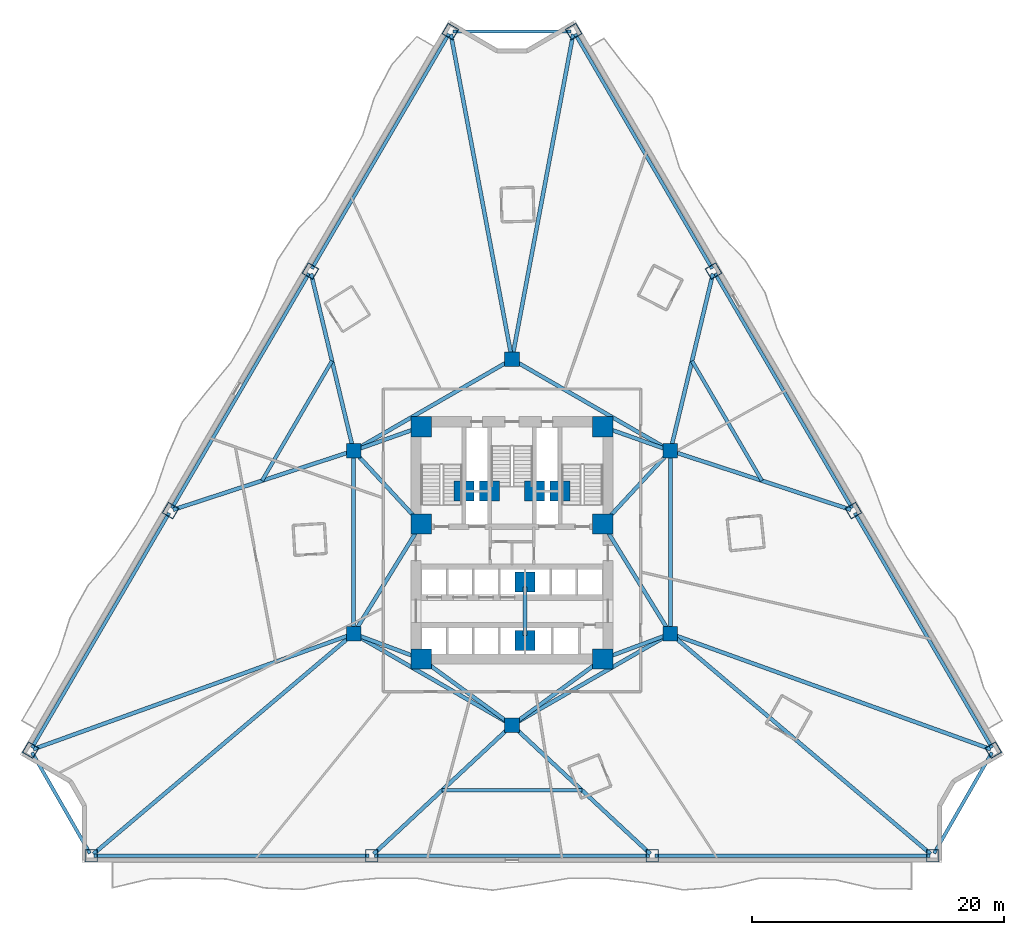
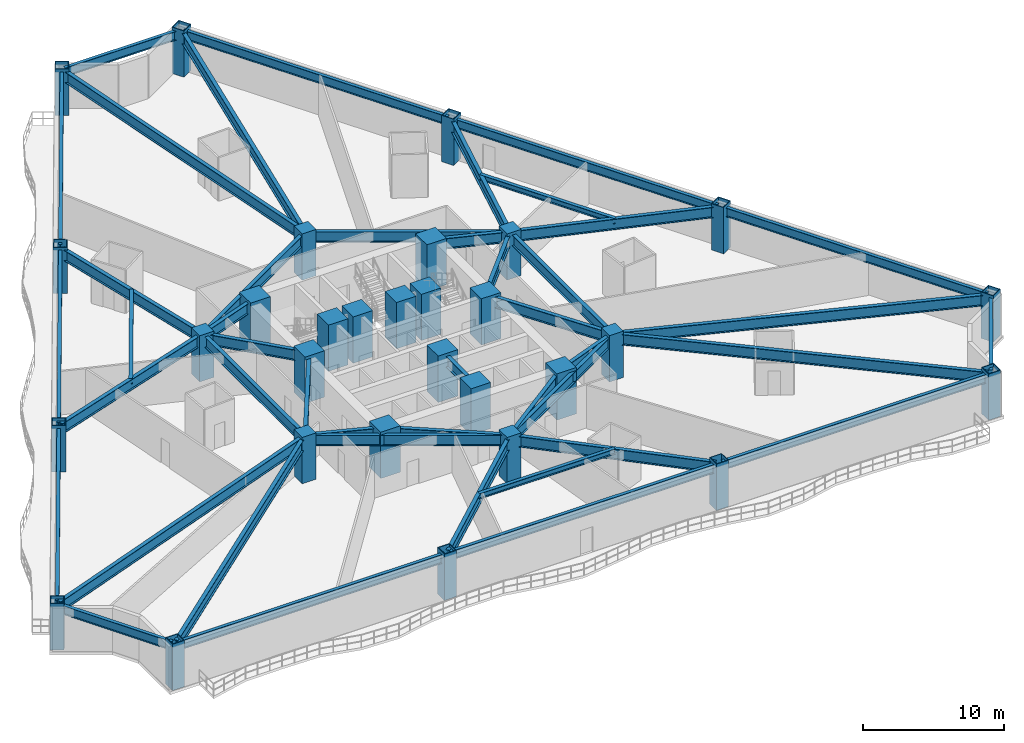
# One storey, part 1 of 12: 44 beams, 30 columns.
"""IFC4 building model written with IfcOpenShell, lengths in metres."""

import ifcopenshell
import ifcopenshell.guid

model = None  # the IFC model being written
_history = None  # IfcOwnerHistory: only IFC2X3 demands one
_inside = {}  # id of a spatial element -> (the spatial element, [elements in it])
_under = {}  # id of a project, library or spatial element -> (it, [spatial elements below it])
_declared = {}  # id of a project -> (the project, [libraries it declares])
_typed = {}  # id of a type object -> (the type object, [elements of that type])
_made_of = {}  # id of a material, layer set ... -> (it, [elements and type objects made of it])


def new_model(schema):
    """Start an empty IFC model of exactly this schema.

    Asked for "IFC4X3", IfcOpenShell would pick the latest addendum, in which some entities
    have other attributes; the version numbers below select the first issue.
    IFC2X3 requires an IfcOwnerHistory on every rooted entity: one is made here for all.
    """
    global model, _history
    if schema == "IFC4X3":
        model = ifcopenshell.file(schema_version=(4, 3, 0, 0))
    else:
        model = ifcopenshell.file(schema=schema)
    _inside.clear()
    _under.clear()
    _declared.clear()
    _typed.clear()
    _made_of.clear()
    _history = None
    if model.schema == "IFC2X3":
        org = make("IfcOrganization", Name="unknown")
        user = make(
            "IfcPersonAndOrganization",
            ThePerson=make("IfcPerson", FamilyName="unknown"),
            TheOrganization=org,
        )
        app = make(
            "IfcApplication",
            ApplicationDeveloper=org,
            Version="unknown",
            ApplicationFullName="unknown",
            ApplicationIdentifier="unknown",
        )
        _history = make(
            "IfcOwnerHistory",
            OwningUser=user,
            OwningApplication=app,
            ChangeAction="ADDED",
            CreationDate=0,
        )
    return model


def make(cls, **values):
    """One entity of the class cls with the attributes given. An attribute that is None is left unset."""
    return model.create_entity(
        cls, **{name: value for name, value in values.items() if value is not None}
    )


def rooted(cls, **values):
    """An entity with a GlobalId (a new one), such as an element, a storey or a relation."""
    return make(cls, GlobalId=ifcopenshell.guid.new(), OwnerHistory=_history, **values)


def si_unit(unit_type, name, prefix=None):
    """IfcSIUnit, for example si_unit("LENGTHUNIT", "METRE", prefix="MILLI")."""
    return make("IfcSIUnit", UnitType=unit_type, Prefix=prefix, Name=name)


def assignment(units):
    """IfcUnitAssignment: the units of a project."""
    return None if units is None else make("IfcUnitAssignment", Units=units)


def point(xyz):
    """IfcCartesianPoint."""
    return None if xyz is None else make("IfcCartesianPoint", Coordinates=xyz)


def direction(xyz):
    """IfcDirection."""
    return None if xyz is None else make("IfcDirection", DirectionRatios=xyz)


def frame(location, z_axis=None, x_axis=None):
    """IfcAxis2Placement3D, a coordinate frame: its origin and axes. An axis left out is left unset."""
    return make(
        "IfcAxis2Placement3D",
        Location=point(location),
        Axis=direction(z_axis),
        RefDirection=direction(x_axis),
    )


def frame_2d(location, x_axis=None):
    """IfcAxis2Placement2D, a coordinate frame in the plane: its origin and x axis."""
    return make(
        "IfcAxis2Placement2D", Location=point(location), RefDirection=direction(x_axis)
    )


def origin():
    """The frame at (0, 0, 0) with its axes left unset."""
    return frame((0.0, 0.0, 0.0))


def origin_2d():
    """The frame at (0, 0) in the plane with its x axis left unset."""
    return frame_2d((0.0, 0.0))


def place(relative_to, where):
    """IfcLocalPlacement: puts the frame where relative to a parent placement (None: the world)."""
    return make(
        "IfcLocalPlacement", PlacementRelTo=relative_to, RelativePlacement=where
    )


def context(
    kind, dimensions, precision=None, world=None, true_north=None, identifier=None
):
    """IfcGeometricRepresentationContext, for example the 3D "Model" context."""
    return make(
        "IfcGeometricRepresentationContext",
        ContextIdentifier=identifier,
        ContextType=kind,
        CoordinateSpaceDimension=dimensions,
        Precision=precision,
        WorldCoordinateSystem=world,
        TrueNorth=true_north,
    )


def subcontext(parent, identifier, kind, view, scale=None):
    """IfcGeometricRepresentationSubContext, for example "Body" below "Model"."""
    return make(
        "IfcGeometricRepresentationSubContext",
        ContextIdentifier=identifier,
        ContextType=kind,
        ParentContext=parent,
        TargetScale=scale,
        TargetView=view,
    )


def project(units=None, contexts=None):
    """IfcProject with its units and contexts."""
    return rooted(
        "IfcProject",
        Name="project",
        RepresentationContexts=contexts,
        UnitsInContext=assignment(units),
    )


def spatial(cls, under=None, at=None, **own):
    """A site, building, storey or space (cls), placed at a placement, below another one or the project."""
    s = rooted(cls, ObjectPlacement=at, **own)
    if under is not None:
        _under.setdefault(under.id(), (under, []))[1].append(s)
    return s


def profile(cls, at=None, kind="AREA", **sizes):
    """A parametric profile (cls). Its sizes go by their IFC names, for example OverallWidth=200.0."""
    return make(cls, ProfileType=kind, Position=at, **sizes)


def rectangle(**sizes):
    """IfcRectangleProfileDef."""
    return profile("IfcRectangleProfileDef", **sizes)


def hollow_rectangle(**sizes):
    """IfcRectangleHollowProfileDef."""
    return profile("IfcRectangleHollowProfileDef", **sizes)


def i_section(**sizes):
    """IfcIShapeProfileDef."""
    return profile("IfcIShapeProfileDef", **sizes)


def extrude(swept, where, along, depth):
    """IfcExtrudedAreaSolid: the profile swept, set in the frame where, extruded along a direction by depth."""
    return make(
        "IfcExtrudedAreaSolid",
        SweptArea=swept,
        Position=where,
        ExtrudedDirection=direction(along),
        Depth=depth,
    )


def shape(context_of_items, identifier, shape_type, items):
    """IfcShapeRepresentation: the items that make up one representation, for example the "Body"."""
    return make(
        "IfcShapeRepresentation",
        ContextOfItems=context_of_items,
        RepresentationIdentifier=identifier,
        RepresentationType=shape_type,
        Items=items,
    )


def material(Name=None, Category=None):
    """IfcMaterial."""
    return make("IfcMaterial", Name=Name, Category=Category)


def material_profile(
    of_material, cross_section, Name=None, Category=None, Priority=None
):
    """IfcMaterialProfile: a cross section and its material."""
    return make(
        "IfcMaterialProfile",
        Name=Name,
        Material=of_material,
        Profile=cross_section,
        Priority=Priority,
        Category=Category,
    )


def profile_set(profiles, Name=None, composite=None):
    """IfcMaterialProfileSet."""
    return make(
        "IfcMaterialProfileSet",
        Name=Name,
        MaterialProfiles=profiles,
        CompositeProfile=composite,
    )


def made_of(thing, what):
    """Note that an element or type object is made of a material, layer set ...; save() writes the relation."""
    if what is not None:
        _made_of.setdefault(what.id(), (what, []))[1].append(thing)
    return thing


def type_object(cls, material=None, **own):
    """A type object (cls), such as IfcWallType, which elements share."""
    return made_of(rooted(cls, **own), material)


def element(
    cls,
    number,
    at=None,
    inside=None,
    cuts=None,
    type_object=None,
    material=None,
    context=None,
    identifier="Body",
    shape_type=None,
    held_by="IfcProductDefinitionShape",
    body=None,
    shapes=None,
    **own,
):
    """One element of the class cls, such as IfcWall. Its Tag is "e" and its number.

    at: its placement. inside: the storey or other place that contains it. cuts: it is an
    opening in that element (IfcRelVoidsElement). A single representation is given by context,
    identifier, shape_type and body (its items); several are given by shapes. held_by: the class
    of the entity that holds the representations. save() writes the other relations.
    """
    e = rooted(cls, Tag="e%d" % number, ObjectPlacement=at, **own)
    if body is not None:
        shapes = [shape(context, identifier, shape_type, body)]
    if shapes is not None:
        e.Representation = make(held_by, Representations=shapes)
    if inside is not None:
        _inside.setdefault(inside.id(), (inside, []))[1].append(e)
    if cuts is not None:
        rooted(
            "IfcRelVoidsElement", RelatingBuildingElement=cuts, RelatedOpeningElement=e
        )
    if type_object is not None:
        _typed.setdefault(type_object.id(), (type_object, []))[1].append(e)
    return made_of(e, material)


def aggregate(whole, parts):
    """IfcRelAggregates: a whole, such as a stair, and the parts it consists of."""
    return rooted("IfcRelAggregates", RelatingObject=whole, RelatedObjects=parts)


def save(model, path):
    """Write the relations noted so far, then the file.

    IfcRelAggregates (storeys below a building ...), IfcRelContainedInSpatialStructure (elements
    in a storey), IfcRelDefinesByType, IfcRelAssociatesMaterial and IfcRelDeclares: one each for
    every whole, place, type object, material and project.
    """
    for whole, parts in _under.values():
        aggregate(whole, parts)
    for where, things in _inside.values():
        rooted(
            "IfcRelContainedInSpatialStructure",
            RelatedElements=things,
            RelatingStructure=where,
        )
    for kind, things in _typed.values():
        rooted("IfcRelDefinesByType", RelatedObjects=things, RelatingType=kind)
    for what, things in _made_of.values():
        rooted("IfcRelAssociatesMaterial", RelatedObjects=things, RelatingMaterial=what)
    for by, libraries in _declared.values():
        rooted("IfcRelDeclares", RelatingContext=by, RelatedDefinitions=libraries)
    model.write(path)


model = new_model("IFC4")

# Units and contexts
model_context = context("Model", 3, precision=1e-05, world=origin(), true_north=direction((0.0, 1.0)))
body_context = subcontext(model_context, "Body", "Model", "MODEL_VIEW")
ifc_project = project(units=[si_unit("LENGTHUNIT", "METRE"), si_unit("AREAUNIT", "SQUARE_METRE"), si_unit("VOLUMEUNIT", "CUBIC_METRE"), si_unit("PLANEANGLEUNIT", "RADIAN"), si_unit("MASSUNIT", "GRAM", prefix="KILO")], contexts=[model_context])

# Site, building, storey
site_placement = place(None, origin())
site = spatial("IfcSite", under=ifc_project, at=site_placement, CompositionType="ELEMENT")
building_placement = place(site_placement, origin())
building = spatial("IfcBuilding", under=site, at=building_placement, Name="Apsidion Concourse Tower", CompositionType="ELEMENT")
storey_placement = place(building_placement, frame((0.0, 0.0, 42.39990234375)))
storey = spatial("IfcBuildingStorey", under=building, at=storey_placement, Name="L08", CompositionType="ELEMENT", Elevation=42.39990234375)

# Columns
ifc_material_1 = material(Name="Structural steel ASTM A572 Grade 50", Category="steel")
ifc_material_profile_1 = material_profile(ifc_material_1, hollow_rectangle(XDim=1.0, YDim=1.0, WallThickness=0.06005859375, at=origin_2d()), Name="BOX1000X1000X60")
ifc_profile_set_1 = profile_set([ifc_material_profile_1], Name="Structural steel ASTM A572 Grade 50")
column_type_1 = type_object("IfcColumnType", Name="COL-BOX-1000", PredefinedType="COLUMN", material=ifc_profile_set_1)
for number, where, z_axis, x_axis, name in (
    (1, (-4.887451171875, 40.481201171875, 0.0), (0.0, 0.0, 1.0), (0.50437692518, 0.863483594138, 0.0), "L08 Rotated Perimeter Column PC01"),
    (2, (-15.976318359375, 21.49365234375, 0.0), (0.0, 0.0, 1.0), (0.50437692518, 0.863483594138, 0.0), "L08 Rotated Perimeter Column PC02"),
    (3, (-27.065185546875, 2.50634765625, 0.0), (0.0, 0.0, 1.0), (0.50437692518, 0.863483594138, 0.0), "L08 Rotated Perimeter Column PC03"),
    (4, (-38.154052734375, -16.481201171875, 0.0), (0.0, 0.0, 1.0), (0.50437692518, 0.863483594138, 0.0), "L08 Rotated Perimeter Column PC04"),
    (5, (-33.35009765625, -24.85009765625, 0.0), (0.0, 0.0, 1.0), (1.0, 0.0, 0.0), "L08 Rotated Perimeter Column PC05"),
    (6, (-11.11669921875, -24.85009765625, 0.0), (0.0, 0.0, 1.0), (1.0, 0.0, 0.0), "L08 Rotated Perimeter Column PC06"),
    (7, (11.11669921875, -24.85009765625, 0.0), (0.0, 0.0, 1.0), (1.0, 0.0, 0.0), "L08 Rotated Perimeter Column PC07"),
    (8, (33.35009765625, -24.85009765625, 0.0), (0.0, 0.0, 1.0), (1.0, 0.0, 0.0), "L08 Rotated Perimeter Column PC08"),
    (9, (38.154052734375, -16.481201171875, 0.0), (0.0, 0.0, 1.0), (-0.50437692518, 0.863483594138, 0.0), "L08 Rotated Perimeter Column PC09"),
    (10, (27.065185546875, 2.50634765625, 0.0), (0.0, 0.0, 1.0), (-0.50437692518, 0.863483594138, 0.0), "L08 Rotated Perimeter Column PC10"),
    (11, (15.976318359375, 21.49365234375, 0.0), (0.0, 0.0, 1.0), (-0.50437692518, 0.863483594138, 0.0), "L08 Rotated Perimeter Column PC11"),
    (12, (4.887451171875, 40.481201171875, 0.0), (0.0, 0.0, 1.0), (-0.50437692518, 0.863483594138, 0.0), "L08 Rotated Perimeter Column PC12"),
):
    element("IfcColumn", number, at=place(storey_placement, frame(where, z_axis=z_axis, x_axis=x_axis)), inside=storey, type_object=column_type_1, Name=name, PredefinedType="COLUMN", context=body_context, shape_type="SweptSolid", body=[
        extrude(hollow_rectangle(XDim=1.0, YDim=1.0, WallThickness=0.06005859375, at=origin_2d()), origin(), (0.0, 0.0, 1.0), 4.0),
    ])
ifc_material_2 = material(Name="Concrete C50/60", Category="concrete")
ifc_material_profile_2 = material_profile(ifc_material_2, rectangle(XDim=1.14990234375, YDim=1.14990234375, at=origin_2d()), Name="RC 1150x1150")
ifc_profile_set_2 = profile_set([ifc_material_profile_2], Name="Concrete C50/60")
column_type_2 = type_object("IfcColumnType", Name="COL-RC-1150", PredefinedType="COLUMN", material=ifc_profile_set_2)
for number, where, z_axis, x_axis, name in (
    (13, (-12.56005859375, -7.25, 0.0), (0.0, 0.0, 1.0), (1.0, 0.0, 0.0), "L08 Interior Spine Column IC1"),
    (14, (12.56005859375, -7.25, 0.0), (0.0, 0.0, 1.0), (1.0, 0.0, 0.0), "L08 Interior Spine Column IC2"),
    (15, (12.56005859375, 7.25, 0.0), (0.0, 0.0, 1.0), (1.0, 0.0, 0.0), "L08 Interior Spine Column IC3"),
    (16, (0.0, 14.5, 0.0), (0.0, 0.0, 1.0), (1.0, 0.0, 0.0), "L08 Interior Spine Column IC4"),
    (17, (-12.56005859375, 7.25, 0.0), (0.0, 0.0, 1.0), (1.0, 0.0, 0.0), "L08 Interior Spine Column IC5"),
    (18, (0.0, -14.5, 0.0), (0.0, 0.0, 1.0), (1.0, 0.0, 0.0), "L08 Interior Spine Column IC6"),
):
    element("IfcColumn", number, at=place(storey_placement, frame(where, z_axis=z_axis, x_axis=x_axis)), inside=storey, type_object=column_type_2, Name=name, PredefinedType="COLUMN", context=body_context, shape_type="SweptSolid", body=[
        extrude(rectangle(XDim=1.14990234375, YDim=1.14990234375, at=origin_2d()), origin(), (0.0, 0.0, 1.0), 4.0),
    ])
ifc_material_3 = material(Name="Concrete C60/75", Category="concrete")
ifc_material_profile_3 = material_profile(ifc_material_3, rectangle(XDim=1.60009765625, YDim=1.60009765625, at=origin_2d()), Name="RC 1600x1600")
ifc_profile_set_3 = profile_set([ifc_material_profile_3], Name="Concrete C60/75")
column_type_3 = type_object("IfcColumnType", Name="COL-RC-1600", PredefinedType="COLUMN", material=ifc_profile_set_3)
for number, where, z_axis, x_axis, name in (
    (19, (-7.199951171875, -9.25, 0.0), (0.0, 0.0, 1.0), (1.0, 0.0, 0.0), "L08 Core Super-Column SC1"),
    (20, (7.199951171875, -9.25, 0.0), (0.0, 0.0, 1.0), (1.0, 0.0, 0.0), "L08 Core Super-Column SC2"),
    (21, (7.199951171875, 1.449951171875, 0.0), (0.0, 0.0, 1.0), (1.0, 0.0, 0.0), "L08 Core Super-Column SC3"),
    (22, (7.199951171875, 9.14990234375, 0.0), (0.0, 0.0, 1.0), (1.0, 0.0, 0.0), "L08 Core Super-Column SC4"),
    (23, (-7.199951171875, 9.14990234375, 0.0), (0.0, 0.0, 1.0), (1.0, 0.0, 0.0), "L08 Core Super-Column SC5"),
    (24, (-7.199951171875, 1.449951171875, 0.0), (0.0, 0.0, 1.0), (1.0, 0.0, 0.0), "L08 Core Super-Column SC6"),
    (25, (-3.800048828125, 4.050048828125, 0.0), (0.0, 0.0, 1.0), (1.0, 0.0, 0.0), "L08 Core Super-Column CC1"),
    (26, (3.800048828125, 4.050048828125, 0.0), (0.0, 0.0, 1.0), (1.0, 0.0, 0.0), "L08 Core Super-Column CC2"),
    (27, (-1.77490234375, 4.050048828125, 0.0), (0.0, 0.0, 1.0), (1.0, 0.0, 0.0), "L08 Core Super-Column CC3"),
    (28, (1.77490234375, 4.050048828125, 0.0), (0.0, 0.0, 1.0), (1.0, 0.0, 0.0), "L08 Core Super-Column CC4"),
    (29, (1.02490234375, -3.14990234375, 0.0), (0.0, 0.0, 1.0), (1.0, 0.0, 0.0), "L08 Core Super-Column CC5"),
    (30, (1.02490234375, -7.800048828125, 0.0), (0.0, 0.0, 1.0), (1.0, 0.0, 0.0), "L08 Core Super-Column CC6"),
):
    element("IfcColumn", number, at=place(storey_placement, frame(where, z_axis=z_axis, x_axis=x_axis)), inside=storey, type_object=column_type_3, Name=name, PredefinedType="COLUMN", context=body_context, shape_type="SweptSolid", body=[
        extrude(rectangle(XDim=1.60009765625, YDim=1.60009765625, at=origin_2d()), origin(), (0.0, 0.0, 1.0), 4.0),
    ])

# Beams
ifc_material_4 = material(Name="Structural steel ASTM A992 Grade 50", Category="steel")
ifc_material_profile_4 = material_profile(ifc_material_4, i_section(OverallWidth=0.283935546875, OverallDepth=0.47607421875, WebThickness=0.014892578125, FlangeThickness=0.02392578125, at=origin_2d()), Name="W18X106")
ifc_profile_set_4 = profile_set([ifc_material_profile_4], Name="Structural steel ASTM A992 Grade 50")
beam_type_1 = type_object("IfcBeamType", Name="BM-FL-W18H", PredefinedType="BEAM", material=ifc_profile_set_4)
beam_1_placement = place(storey_placement, frame((-14.268310546875, 14.371826171875, 3.51220703125), z_axis=(-0.504293469124, -0.863532336974, 0.0), x_axis=(0.863532336974, -0.504293469124, 0.0)))
element("IfcBeam", 31, at=beam_1_placement, inside=storey, type_object=beam_type_1, Name="L08 Secondary Floor Beam SEC-F1", PredefinedType="BEAM", context=body_context, shape_type="SweptSolid", body=[
    extrude(i_section(OverallWidth=0.283935546875, OverallDepth=0.47607421875, WebThickness=0.014892578125, FlangeThickness=0.02392578125, at=origin_2d()), origin(), (0.0, 0.0, 1.0), 10.993896484375),
])
beam_2_placement = place(storey_placement, frame((-5.558349609375, -19.675048828125, 3.51220703125), z_axis=(1.0, 0.0, 0.0), x_axis=(0.0, 1.0, 0.0)))
element("IfcBeam", 32, at=beam_2_placement, inside=storey, type_object=beam_type_1, Name="L08 Secondary Floor Beam SEC-F2", PredefinedType="BEAM", context=body_context, shape_type="SweptSolid", body=[
    extrude(i_section(OverallWidth=0.283935546875, OverallDepth=0.47607421875, WebThickness=0.014892578125, FlangeThickness=0.02392578125, at=origin_2d()), origin(), (0.0, 0.0, 1.0), 11.11669921875),
])
beam_3_placement = place(storey_placement, frame((19.8125, 4.878173828125, 3.51220703125), z_axis=(-0.504293469124, 0.863532336974, 0.0), x_axis=(-0.863532336974, -0.504293469124, 0.0)))
element("IfcBeam", 33, at=beam_3_placement, inside=storey, type_object=beam_type_1, Name="L08 Secondary Floor Beam SEC-F3", PredefinedType="BEAM", context=body_context, shape_type="SweptSolid", body=[
    extrude(i_section(OverallWidth=0.283935546875, OverallDepth=0.47607421875, WebThickness=0.014892578125, FlangeThickness=0.02392578125, at=origin_2d()), origin(), (0.0, 0.0, 1.0), 10.993896484375),
])
ifc_material_profile_5 = material_profile(ifc_material_4, i_section(OverallWidth=0.31005859375, OverallDepth=0.931884765625, WebThickness=0.02099609375, FlangeThickness=0.034423828125, at=origin_2d()), Name="W36X210")
ifc_profile_set_5 = profile_set([ifc_material_profile_5], Name="Structural steel ASTM A992 Grade 50")
beam_type_2 = type_object("IfcBeamType", Name="BM-G-W36", PredefinedType="USERDEFINED", material=ifc_profile_set_5)
beam_4_placement = place(storey_placement, frame((-12.185302734375, -7.389892578125, 3.2841796875), z_axis=(0.936913021145, -0.349562570664, 0.0), x_axis=(0.349562570664, 0.936913021145, 0.0)))
element("IfcBeam", 34, at=beam_4_placement, inside=storey, type_object=beam_type_2, Name="L08 Core Coupling Girder IC1-SC1", ObjectType="GIRDER", PredefinedType="USERDEFINED", context=body_context, shape_type="SweptSolid", body=[
    extrude(i_section(OverallWidth=0.31005859375, OverallDepth=0.931884765625, WebThickness=0.02099609375, FlangeThickness=0.034423828125, at=origin_2d()), origin(), (0.0, 0.0, 1.0), 4.921142578125),
])
beam_5_placement = place(storey_placement, frame((-12.35009765625, -6.909423828125, 3.2841796875), z_axis=(0.524524009763, 0.851395656074, 0.0), x_axis=(-0.851395656074, 0.524524009763, 0.0)))
element("IfcBeam", 35, at=beam_5_placement, inside=storey, type_object=beam_type_2, Name="L08 Core Coupling Girder IC1-SC6", ObjectType="GIRDER", PredefinedType="USERDEFINED", context=body_context, shape_type="SweptSolid", body=[
    extrude(i_section(OverallWidth=0.31005859375, OverallDepth=0.931884765625, WebThickness=0.02099609375, FlangeThickness=0.034423828125, at=origin_2d()), origin(), (0.0, 0.0, 1.0), 9.41845703125),
])
beam_6_placement = place(storey_placement, frame((12.185302734375, -7.389892578125, 3.2841796875), z_axis=(-0.936913021145, -0.349562570664, 0.0), x_axis=(0.349562570664, -0.936913021145, 0.0)))
element("IfcBeam", 36, at=beam_6_placement, inside=storey, type_object=beam_type_2, Name="L08 Core Coupling Girder IC2-SC2", ObjectType="GIRDER", PredefinedType="USERDEFINED", context=body_context, shape_type="SweptSolid", body=[
    extrude(i_section(OverallWidth=0.31005859375, OverallDepth=0.931884765625, WebThickness=0.02099609375, FlangeThickness=0.034423828125, at=origin_2d()), origin(), (0.0, 0.0, 1.0), 4.921142578125),
])
beam_7_placement = place(storey_placement, frame((12.35009765625, -6.909423828125, 3.2841796875), z_axis=(-0.524524009763, 0.851395656074, 0.0), x_axis=(-0.851395656074, -0.524524009763, 0.0)))
element("IfcBeam", 37, at=beam_7_placement, inside=storey, type_object=beam_type_2, Name="L08 Core Coupling Girder IC2-SC3", ObjectType="GIRDER", PredefinedType="USERDEFINED", context=body_context, shape_type="SweptSolid", body=[
    extrude(i_section(OverallWidth=0.31005859375, OverallDepth=0.931884765625, WebThickness=0.02099609375, FlangeThickness=0.034423828125, at=origin_2d()), origin(), (0.0, 0.0, 1.0), 9.41845703125),
])
beam_8_placement = place(storey_placement, frame((12.28857421875, 6.956298828125, 3.2841796875), z_axis=(-0.678712876106, -0.73440372535, 0.0), x_axis=(0.73440372535, -0.678712876106, 0.0)))
element("IfcBeam", 38, at=beam_8_placement, inside=storey, type_object=beam_type_2, Name="L08 Core Coupling Girder IC3-SC3", ObjectType="GIRDER", PredefinedType="USERDEFINED", context=body_context, shape_type="SweptSolid", body=[
    extrude(i_section(OverallWidth=0.31005859375, OverallDepth=0.931884765625, WebThickness=0.02099609375, FlangeThickness=0.034423828125, at=origin_2d()), origin(), (0.0, 0.0, 1.0), 7.097412109375),
])
beam_9_placement = place(storey_placement, frame((12.18310546875, 7.383544921875, 3.2841796875), z_axis=(-0.942533844539, 0.334110688094, 0.0), x_axis=(-0.334110688094, -0.942533844539, 0.0)))
element("IfcBeam", 39, at=beam_9_placement, inside=storey, type_object=beam_type_2, Name="L08 Core Coupling Girder IC3-SC4", ObjectType="GIRDER", PredefinedType="USERDEFINED", context=body_context, shape_type="SweptSolid", body=[
    extrude(i_section(OverallWidth=0.31005859375, OverallDepth=0.931884765625, WebThickness=0.02099609375, FlangeThickness=0.034423828125, at=origin_2d()), origin(), (0.0, 0.0, 1.0), 4.886962890625),
])
beam_10_placement = place(storey_placement, frame((-12.28857421875, 6.956298828125, 3.2841796875), z_axis=(0.678712876106, -0.73440372535, 0.0), x_axis=(0.73440372535, 0.678712876106, 0.0)))
element("IfcBeam", 40, at=beam_10_placement, inside=storey, type_object=beam_type_2, Name="L08 Core Coupling Girder IC5-SC6", ObjectType="GIRDER", PredefinedType="USERDEFINED", context=body_context, shape_type="SweptSolid", body=[
    extrude(i_section(OverallWidth=0.31005859375, OverallDepth=0.931884765625, WebThickness=0.02099609375, FlangeThickness=0.034423828125, at=origin_2d()), origin(), (0.0, 0.0, 1.0), 7.097412109375),
])
beam_11_placement = place(storey_placement, frame((-12.18310546875, 7.383544921875, 3.2841796875), z_axis=(0.942533844539, 0.334110688094, 0.0), x_axis=(-0.334110688094, 0.942533844539, 0.0)))
element("IfcBeam", 41, at=beam_11_placement, inside=storey, type_object=beam_type_2, Name="L08 Core Coupling Girder IC5-SC5", ObjectType="GIRDER", PredefinedType="USERDEFINED", context=body_context, shape_type="SweptSolid", body=[
    extrude(i_section(OverallWidth=0.31005859375, OverallDepth=0.931884765625, WebThickness=0.02099609375, FlangeThickness=0.034423828125, at=origin_2d()), origin(), (0.0, 0.0, 1.0), 4.886962890625),
])
for number, where, z_axis, x_axis, name in (
    (42, (-0.3232421875, -14.264404296875, 3.2841796875), (-0.807993498909, 0.589191399905, 0.0), (-0.589191399905, -0.807993498909, 0.0), "L08 Core Coupling Girder IC6-SC1"),
    (43, (0.3232421875, -14.264404296875, 3.2841796875), (0.807993498909, 0.589191399905, 0.0), (-0.589191399905, 0.807993498909, 0.0), "L08 Core Coupling Girder IC6-SC2"),
):
    element("IfcBeam", number, at=place(storey_placement, frame(where, z_axis=z_axis, x_axis=x_axis)), inside=storey, type_object=beam_type_2, Name=name, ObjectType="GIRDER", PredefinedType="USERDEFINED", context=body_context, shape_type="SweptSolid", body=[
        extrude(i_section(OverallWidth=0.31005859375, OverallDepth=0.931884765625, WebThickness=0.02099609375, FlangeThickness=0.034423828125, at=origin_2d()), origin(), (0.0, 0.0, 1.0), 8.11083984375),
    ])
beam_12_placement = place(storey_placement, frame((-12.56005859375, -6.85009765625, 3.2841796875), z_axis=(0.0, 1.0, 0.0), x_axis=(-1.0, 0.0, 0.0)))
element("IfcBeam", 44, at=beam_12_placement, inside=storey, type_object=beam_type_2, Name="L08 Core Coupling Girder IC1-IC5", ObjectType="GIRDER", PredefinedType="USERDEFINED", context=body_context, shape_type="SweptSolid", body=[
    extrude(i_section(OverallWidth=0.31005859375, OverallDepth=0.931884765625, WebThickness=0.02099609375, FlangeThickness=0.034423828125, at=origin_2d()), origin(), (0.0, 0.0, 1.0), 13.7001953125),
])
for number, where, z_axis, x_axis, name in (
    (45, (-12.213623046875, 7.449951171875, 3.2841796875), (0.866070471464, 0.499921932364, 0.0), (-0.499921932364, 0.866070471464, 0.0), "L08 Core Coupling Girder IC5-IC4"),
    (46, (0.346435546875, 14.300048828125, 3.2841796875), (0.866070471464, -0.499921932364, 0.0), (0.499921932364, 0.866070471464, 0.0), "L08 Core Coupling Girder IC4-IC3"),
):
    element("IfcBeam", number, at=place(storey_placement, frame(where, z_axis=z_axis, x_axis=x_axis)), inside=storey, type_object=beam_type_2, Name=name, ObjectType="GIRDER", PredefinedType="USERDEFINED", context=body_context, shape_type="SweptSolid", body=[
        extrude(i_section(OverallWidth=0.31005859375, OverallDepth=0.931884765625, WebThickness=0.02099609375, FlangeThickness=0.034423828125, at=origin_2d()), origin(), (0.0, 0.0, 1.0), 13.702392578125),
    ])
beam_13_placement = place(storey_placement, frame((12.56005859375, 6.85009765625, 3.2841796875), z_axis=(0.0, -1.0, 0.0), x_axis=(1.0, 0.0, 0.0)))
element("IfcBeam", 47, at=beam_13_placement, inside=storey, type_object=beam_type_2, Name="L08 Core Coupling Girder IC3-IC2", ObjectType="GIRDER", PredefinedType="USERDEFINED", context=body_context, shape_type="SweptSolid", body=[
    extrude(i_section(OverallWidth=0.31005859375, OverallDepth=0.931884765625, WebThickness=0.02099609375, FlangeThickness=0.034423828125, at=origin_2d()), origin(), (0.0, 0.0, 1.0), 13.7001953125),
])
for number, where, z_axis, x_axis, name in (
    (48, (12.213623046875, -7.449951171875, 3.2841796875), (-0.866070471464, -0.499921932364, 0.0), (0.499921932364, -0.866070471464, 0.0), "L08 Core Coupling Girder IC2-IC6"),
    (49, (-0.346435546875, -14.300048828125, 3.2841796875), (-0.866070471464, 0.499921932364, 0.0), (-0.499921932364, -0.866070471464, 0.0), "L08 Core Coupling Girder IC6-IC1"),
):
    element("IfcBeam", number, at=place(storey_placement, frame(where, z_axis=z_axis, x_axis=x_axis)), inside=storey, type_object=beam_type_2, Name=name, ObjectType="GIRDER", PredefinedType="USERDEFINED", context=body_context, shape_type="SweptSolid", body=[
        extrude(i_section(OverallWidth=0.31005859375, OverallDepth=0.931884765625, WebThickness=0.02099609375, FlangeThickness=0.034423828125, at=origin_2d()), origin(), (0.0, 0.0, 1.0), 13.702392578125),
    ])
beam_14_placement = place(storey_placement, frame((1.02490234375, -3.550048828125, 3.2841796875), z_axis=(0.0, -1.0, 0.0), x_axis=(1.0, 0.0, 0.0)))
element("IfcBeam", 50, at=beam_14_placement, inside=storey, type_object=beam_type_2, Name="L08 Core Coupling Girder CC5-CC6", ObjectType="GIRDER", PredefinedType="USERDEFINED", context=body_context, shape_type="SweptSolid", body=[
    extrude(i_section(OverallWidth=0.31005859375, OverallDepth=0.931884765625, WebThickness=0.02099609375, FlangeThickness=0.034423828125, at=origin_2d()), origin(), (0.0, 0.0, 1.0), 3.849853515625),
])
beam_15_placement = place(storey_placement, frame((-0.040771484375, 14.71630859375, 3.2841796875), z_axis=(-0.184866293989, 0.982763681333, 0.0), x_axis=(-0.982763681333, -0.184866293989, 0.0)))
element("IfcBeam", 51, at=beam_15_placement, inside=storey, type_object=beam_type_2, Name="L08 Radial Floor Girder RAD-01", ObjectType="GIRDER", PredefinedType="USERDEFINED", context=body_context, shape_type="SweptSolid", body=[
    extrude(i_section(OverallWidth=0.31005859375, OverallDepth=0.931884765625, WebThickness=0.02099609375, FlangeThickness=0.034423828125, at=origin_2d()), origin(), (0.0, 0.0, 1.0), 25.99658203125),
])
beam_16_placement = place(storey_placement, frame((-12.611328125, 7.4638671875, 3.2841796875), z_axis=(-0.233233219452, 0.972420827288, 0.0), x_axis=(-0.972420827288, -0.233233219452, 0.0)))
element("IfcBeam", 52, at=beam_16_placement, inside=storey, type_object=beam_type_2, Name="L08 Radial Floor Girder RAD-02", ObjectType="GIRDER", PredefinedType="USERDEFINED", context=body_context, shape_type="SweptSolid", body=[
    extrude(i_section(OverallWidth=0.31005859375, OverallDepth=0.931884765625, WebThickness=0.02099609375, FlangeThickness=0.034423828125, at=origin_2d()), origin(), (0.0, 0.0, 1.0), 14.207763671875),
])
beam_17_placement = place(storey_placement, frame((-12.76904296875, 7.181640625, 3.2841796875), z_axis=(-0.950465100465, -0.310831293145, 0.0), x_axis=(0.310831293145, -0.950465100465, 0.0)))
element("IfcBeam", 53, at=beam_17_placement, inside=storey, type_object=beam_type_2, Name="L08 Radial Floor Girder RAD-03", ObjectType="GIRDER", PredefinedType="USERDEFINED", context=body_context, shape_type="SweptSolid", body=[
    extrude(i_section(OverallWidth=0.31005859375, OverallDepth=0.931884765625, WebThickness=0.02099609375, FlangeThickness=0.034423828125, at=origin_2d()), origin(), (0.0, 0.0, 1.0), 14.8212890625),
])
beam_18_placement = place(storey_placement, frame((-12.76708984375, -7.32470703125, 3.2841796875), z_axis=(-0.940684701446, -0.339282024968, 0.0), x_axis=(0.339282024968, -0.940684701446, 0.0)))
element("IfcBeam", 54, at=beam_18_placement, inside=storey, type_object=beam_type_2, Name="L08 Radial Floor Girder RAD-04", ObjectType="GIRDER", PredefinedType="USERDEFINED", context=body_context, shape_type="SweptSolid", body=[
    extrude(i_section(OverallWidth=0.31005859375, OverallDepth=0.931884765625, WebThickness=0.02099609375, FlangeThickness=0.034423828125, at=origin_2d()), origin(), (0.0, 0.0, 1.0), 26.767578125),
])
beam_19_placement = place(storey_placement, frame((-12.727783203125, -7.39208984375, 3.2841796875), z_axis=(-0.763231804576, -0.646124765416, 0.0), x_axis=(0.646124765416, -0.763231804576, 0.0)))
element("IfcBeam", 55, at=beam_19_placement, inside=storey, type_object=beam_type_2, Name="L08 Radial Floor Girder RAD-05", ObjectType="GIRDER", PredefinedType="USERDEFINED", context=body_context, shape_type="SweptSolid", body=[
    extrude(i_section(OverallWidth=0.31005859375, OverallDepth=0.931884765625, WebThickness=0.02099609375, FlangeThickness=0.034423828125, at=origin_2d()), origin(), (0.0, 0.0, 1.0), 26.799560546875),
])
for number, where, z_axis, x_axis, name in (
    (56, (-0.160888671875, -14.64990234375, 3.2841796875), (-0.731899098402, -0.681413024353, 0.0), (0.681413024353, -0.731899098402, 0.0), "L08 Radial Floor Girder RAD-06"),
    (57, (0.160888671875, -14.64990234375, 3.2841796875), (0.731899098402, -0.681413024353, 0.0), (0.681413024353, 0.731899098402, 0.0), "L08 Radial Floor Girder RAD-07"),
):
    element("IfcBeam", number, at=place(storey_placement, frame(where, z_axis=z_axis, x_axis=x_axis)), inside=storey, type_object=beam_type_2, Name=name, ObjectType="GIRDER", PredefinedType="USERDEFINED", context=body_context, shape_type="SweptSolid", body=[
        extrude(i_section(OverallWidth=0.31005859375, OverallDepth=0.931884765625, WebThickness=0.02099609375, FlangeThickness=0.034423828125, at=origin_2d()), origin(), (0.0, 0.0, 1.0), 14.749267578125),
    ])
beam_20_placement = place(storey_placement, frame((12.727783203125, -7.39208984375, 3.2841796875), z_axis=(0.763231804576, -0.646124765416, 0.0), x_axis=(0.646124765416, 0.763231804576, 0.0)))
element("IfcBeam", 58, at=beam_20_placement, inside=storey, type_object=beam_type_2, Name="L08 Radial Floor Girder RAD-08", ObjectType="GIRDER", PredefinedType="USERDEFINED", context=body_context, shape_type="SweptSolid", body=[
    extrude(i_section(OverallWidth=0.31005859375, OverallDepth=0.931884765625, WebThickness=0.02099609375, FlangeThickness=0.034423828125, at=origin_2d()), origin(), (0.0, 0.0, 1.0), 26.799560546875),
])
beam_21_placement = place(storey_placement, frame((12.76708984375, -7.32470703125, 3.2841796875), z_axis=(0.940684701446, -0.339282024968, 0.0), x_axis=(0.339282024968, 0.940684701446, 0.0)))
element("IfcBeam", 59, at=beam_21_placement, inside=storey, type_object=beam_type_2, Name="L08 Radial Floor Girder RAD-09", ObjectType="GIRDER", PredefinedType="USERDEFINED", context=body_context, shape_type="SweptSolid", body=[
    extrude(i_section(OverallWidth=0.31005859375, OverallDepth=0.931884765625, WebThickness=0.02099609375, FlangeThickness=0.034423828125, at=origin_2d()), origin(), (0.0, 0.0, 1.0), 26.767578125),
])
beam_22_placement = place(storey_placement, frame((12.76904296875, 7.181640625, 3.2841796875), z_axis=(0.950465100465, -0.310831293145, 0.0), x_axis=(0.310831293145, 0.950465100465, 0.0)))
element("IfcBeam", 60, at=beam_22_placement, inside=storey, type_object=beam_type_2, Name="L08 Radial Floor Girder RAD-10", ObjectType="GIRDER", PredefinedType="USERDEFINED", context=body_context, shape_type="SweptSolid", body=[
    extrude(i_section(OverallWidth=0.31005859375, OverallDepth=0.931884765625, WebThickness=0.02099609375, FlangeThickness=0.034423828125, at=origin_2d()), origin(), (0.0, 0.0, 1.0), 14.8212890625),
])
beam_23_placement = place(storey_placement, frame((12.611328125, 7.4638671875, 3.2841796875), z_axis=(0.233233219452, 0.972420827288, 0.0), x_axis=(-0.972420827288, 0.233233219452, 0.0)))
element("IfcBeam", 61, at=beam_23_placement, inside=storey, type_object=beam_type_2, Name="L08 Radial Floor Girder RAD-11", ObjectType="GIRDER", PredefinedType="USERDEFINED", context=body_context, shape_type="SweptSolid", body=[
    extrude(i_section(OverallWidth=0.31005859375, OverallDepth=0.931884765625, WebThickness=0.02099609375, FlangeThickness=0.034423828125, at=origin_2d()), origin(), (0.0, 0.0, 1.0), 14.207763671875),
])
beam_24_placement = place(storey_placement, frame((0.040771484375, 14.71630859375, 3.2841796875), z_axis=(0.184866293989, 0.982763681333, 0.0), x_axis=(-0.982763681333, 0.184866293989, 0.0)))
element("IfcBeam", 62, at=beam_24_placement, inside=storey, type_object=beam_type_2, Name="L08 Radial Floor Girder RAD-12", ObjectType="GIRDER", PredefinedType="USERDEFINED", context=body_context, shape_type="SweptSolid", body=[
    extrude(i_section(OverallWidth=0.31005859375, OverallDepth=0.931884765625, WebThickness=0.02099609375, FlangeThickness=0.034423828125, at=origin_2d()), origin(), (0.0, 0.0, 1.0), 25.99658203125),
])
ifc_material_profile_6 = material_profile(ifc_material_4, i_section(OverallWidth=0.26806640625, OverallDepth=0.77001953125, WebThickness=0.015625, FlangeThickness=0.025390625, at=origin_2d()), Name="W30X132")
ifc_profile_set_6 = profile_set([ifc_material_profile_6], Name="Structural steel ASTM A992 Grade 50")
beam_type_3 = type_object("IfcBeamType", Name="BM-SP-W30", PredefinedType="SPANDREL", material=ifc_profile_set_6)
for number, where, z_axis, x_axis, name in (
    (63, (-4.998291015625, 40.291015625, 3.364990234375), (-0.504316170532, -0.863519079198, 0.0), (0.863519079198, -0.504316170532, 0.0), "L08 Perimeter Spandrel Girder SP-01"),
    (64, (-16.087158203125, 21.3037109375, 3.364990234375), (-0.504316170532, -0.863519079198, 0.0), (0.863519079198, -0.504316170532, 0.0), "L08 Perimeter Spandrel Girder SP-02"),
    (65, (-27.176025390625, 2.31640625, 3.364990234375), (-0.504316170532, -0.863519079198, 0.0), (0.863519079198, -0.504316170532, 0.0), "L08 Perimeter Spandrel Girder SP-03"),
):
    element("IfcBeam", number, at=place(storey_placement, frame(where, z_axis=z_axis, x_axis=x_axis)), inside=storey, type_object=beam_type_3, Name=name, PredefinedType="SPANDREL", context=body_context, shape_type="SweptSolid", body=[
        extrude(i_section(OverallWidth=0.26806640625, OverallDepth=0.77001953125, WebThickness=0.015625, FlangeThickness=0.025390625, at=origin_2d()), origin(), (0.0, 0.0, 1.0), 21.54833984375),
    ])
beam_25_placement = place(storey_placement, frame((-38.04443359375, -16.671875, 3.364990234375), z_axis=(0.497839457155, -0.867269205553, 0.0), x_axis=(0.867269205553, 0.497839457155, 0.0)))
element("IfcBeam", 66, at=beam_25_placement, inside=storey, type_object=beam_type_3, Name="L08 Perimeter Spandrel Girder SP-04", PredefinedType="SPANDREL", context=body_context, shape_type="SweptSolid", body=[
    extrude(i_section(OverallWidth=0.26806640625, OverallDepth=0.77001953125, WebThickness=0.015625, FlangeThickness=0.025390625, at=origin_2d()), origin(), (0.0, 0.0, 1.0), 9.209716796875),
])
beam_26_placement = place(storey_placement, frame((-33.1298828125, -24.85009765625, 3.364990234375), z_axis=(1.0, 0.0, 0.0), x_axis=(0.0, 1.0, 0.0)))
element("IfcBeam", 67, at=beam_26_placement, inside=storey, type_object=beam_type_3, Name="L08 Perimeter Spandrel Girder SP-05", PredefinedType="SPANDREL", context=body_context, shape_type="SweptSolid", body=[
    extrude(i_section(OverallWidth=0.26806640625, OverallDepth=0.77001953125, WebThickness=0.015625, FlangeThickness=0.025390625, at=origin_2d()), origin(), (0.0, 0.0, 1.0), 21.793212890625),
])
beam_27_placement = place(storey_placement, frame((-10.896728515625, -24.85009765625, 3.364990234375), z_axis=(1.0, 0.0, 0.0), x_axis=(0.0, 1.0, 0.0)))
element("IfcBeam", 68, at=beam_27_placement, inside=storey, type_object=beam_type_3, Name="L08 Perimeter Spandrel Girder SP-06", PredefinedType="SPANDREL", context=body_context, shape_type="SweptSolid", body=[
    extrude(i_section(OverallWidth=0.26806640625, OverallDepth=0.77001953125, WebThickness=0.015625, FlangeThickness=0.025390625, at=origin_2d()), origin(), (0.0, 0.0, 1.0), 21.79345703125),
])
beam_28_placement = place(storey_placement, frame((11.336669921875, -24.85009765625, 3.364990234375), z_axis=(1.0, 0.0, 0.0), x_axis=(0.0, 1.0, 0.0)))
element("IfcBeam", 69, at=beam_28_placement, inside=storey, type_object=beam_type_3, Name="L08 Perimeter Spandrel Girder SP-07", PredefinedType="SPANDREL", context=body_context, shape_type="SweptSolid", body=[
    extrude(i_section(OverallWidth=0.26806640625, OverallDepth=0.77001953125, WebThickness=0.015625, FlangeThickness=0.025390625, at=origin_2d()), origin(), (0.0, 0.0, 1.0), 21.793212890625),
])
beam_29_placement = place(storey_placement, frame((33.45947265625, -24.6591796875, 3.364990234375), z_axis=(0.497839457155, 0.867269205553, 0.0), x_axis=(-0.867269205553, 0.497839457155, 0.0)))
element("IfcBeam", 70, at=beam_29_placement, inside=storey, type_object=beam_type_3, Name="L08 Perimeter Spandrel Girder SP-08", PredefinedType="SPANDREL", context=body_context, shape_type="SweptSolid", body=[
    extrude(i_section(OverallWidth=0.26806640625, OverallDepth=0.77001953125, WebThickness=0.015625, FlangeThickness=0.025390625, at=origin_2d()), origin(), (0.0, 0.0, 1.0), 9.209716796875),
])
for number, where, z_axis, x_axis, name in (
    (71, (38.043212890625, -16.291015625, 3.364990234375), (-0.504316170532, 0.863519079198, 0.0), (-0.863519079198, -0.504316170532, 0.0), "L08 Perimeter Spandrel Girder SP-09"),
    (72, (26.954345703125, 2.6962890625, 3.364990234375), (-0.504316170532, 0.863519079198, 0.0), (-0.863519079198, -0.504316170532, 0.0), "L08 Perimeter Spandrel Girder SP-10"),
    (73, (15.865478515625, 21.68359375, 3.364990234375), (-0.504316170532, 0.863519079198, 0.0), (-0.863519079198, -0.504316170532, 0.0), "L08 Perimeter Spandrel Girder SP-11"),
):
    element("IfcBeam", number, at=place(storey_placement, frame(where, z_axis=z_axis, x_axis=x_axis)), inside=storey, type_object=beam_type_3, Name=name, PredefinedType="SPANDREL", context=body_context, shape_type="SweptSolid", body=[
        extrude(i_section(OverallWidth=0.26806640625, OverallDepth=0.77001953125, WebThickness=0.015625, FlangeThickness=0.025390625, at=origin_2d()), origin(), (0.0, 0.0, 1.0), 21.54833984375),
    ])
beam_30_placement = place(storey_placement, frame((4.66748046875, 40.481201171875, 3.364990234375), z_axis=(-1.0, 0.0, 0.0), x_axis=(0.0, -1.0, 0.0)))
element("IfcBeam", 74, at=beam_30_placement, inside=storey, type_object=beam_type_3, Name="L08 Perimeter Spandrel Girder SP-12", PredefinedType="SPANDREL", context=body_context, shape_type="SweptSolid", body=[
    extrude(i_section(OverallWidth=0.26806640625, OverallDepth=0.77001953125, WebThickness=0.015625, FlangeThickness=0.025390625, at=origin_2d()), origin(), (0.0, 0.0, 1.0), 9.3349609375),
])

save(model, "model.ifc")
